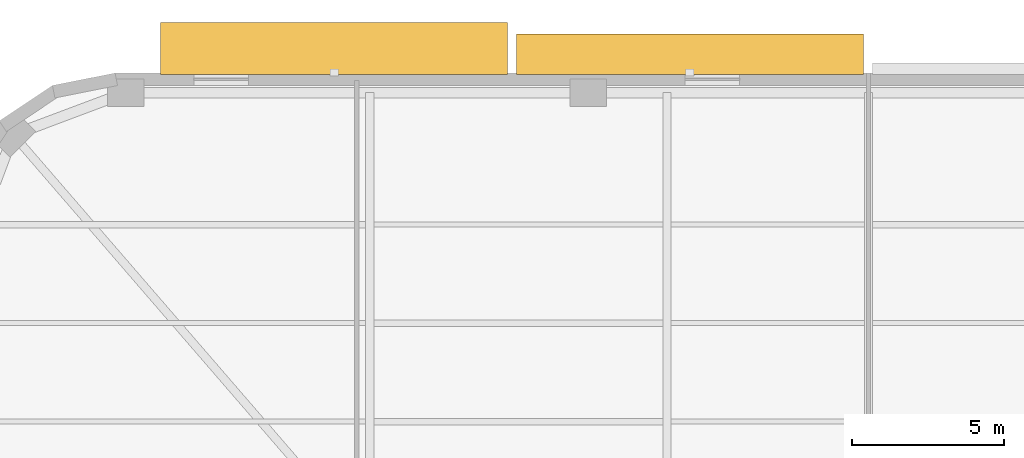
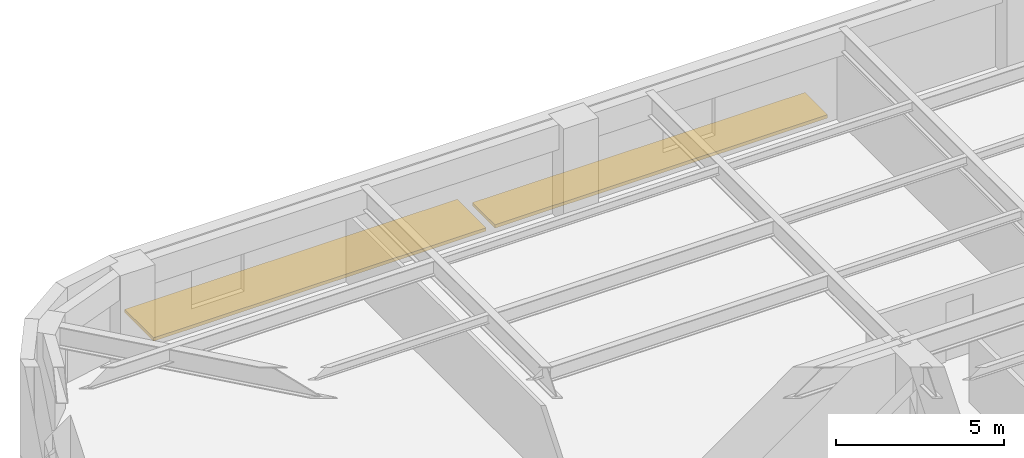
# One storey, part 13 of 15: 2 shading devices.
"""IFC4 building model written with IfcOpenShell, lengths in metres."""

from ifc_helpers import new_model, si_unit, direction, frame, origin, origin_2d, place, context, subcontext, project, spatial, rectangle, extrude, material, type_object, element, save


model = new_model("IFC4")

# Units and contexts
model_context = context("Model", 3, precision=1e-05, world=origin(), true_north=direction((0.0, 1.0)))
body_context = subcontext(model_context, "Body", "Model", "MODEL_VIEW")
ifc_project = project(units=[si_unit("LENGTHUNIT", "METRE"), si_unit("AREAUNIT", "SQUARE_METRE"), si_unit("VOLUMEUNIT", "CUBIC_METRE"), si_unit("PLANEANGLEUNIT", "RADIAN"), si_unit("MASSUNIT", "GRAM", prefix="KILO")], contexts=[model_context])

# Site, building, storey
site_placement = place(None, origin())
site = spatial("IfcSite", under=ifc_project, at=site_placement, CompositionType="ELEMENT")
building_placement = place(site_placement, origin())
building = spatial("IfcBuilding", under=site, at=building_placement, Name="Kolvaren Arena Tower", CompositionType="ELEMENT")
storey_placement = place(building_placement, frame((0.0, 0.0, 42.0)))
storey = spatial("IfcBuildingStorey", under=building, at=storey_placement, Name="L07", CompositionType="ELEMENT", Elevation=42.0)

# Shading devices
ifc_material = material(Name="Architectural precast GFRC and anodised aluminium sunshade", Category="concrete")
shading_device_type = type_object("IfcShadingDeviceType", Name="SHAD-SINE-B", PredefinedType="JALOUSIE", material=ifc_material)
shading_device_1_placement = place(storey_placement, frame((13.3701171875, 50.30908203125, -0.14013671875), z_axis=(0.0, 0.0, 1.0), x_axis=(1.0, 0.0, 0.0)))
element("IfcShadingDevice", 1, at=shading_device_1_placement, inside=storey, type_object=shading_device_type, Name="Sinusoidal Slab-Edge Sunshade Louvre (L07)", PredefinedType="JALOUSIE", context=body_context, shape_type="SweptSolid", body=[
    extrude(rectangle(XDim=11.43994140625, YDim=1.718505859375, at=origin_2d()), origin(), (0.0, 0.0, 1.0), 0.1201171875),
])
shading_device_2_placement = place(storey_placement, frame((25.110107421875, 50.12109375, -0.14013671875), z_axis=(0.0, 0.0, 1.0), x_axis=(1.0, 0.0, 0.0)))
element("IfcShadingDevice", 2, at=shading_device_2_placement, inside=storey, type_object=shading_device_type, Name="Sinusoidal Slab-Edge Sunshade Louvre (L07)", PredefinedType="JALOUSIE", context=body_context, shape_type="SweptSolid", body=[
    extrude(rectangle(XDim=11.43994140625, YDim=1.341796875, at=origin_2d()), origin(), (0.0, 0.0, 1.0), 0.1201171875),
])

save(model, "model.ifc")
